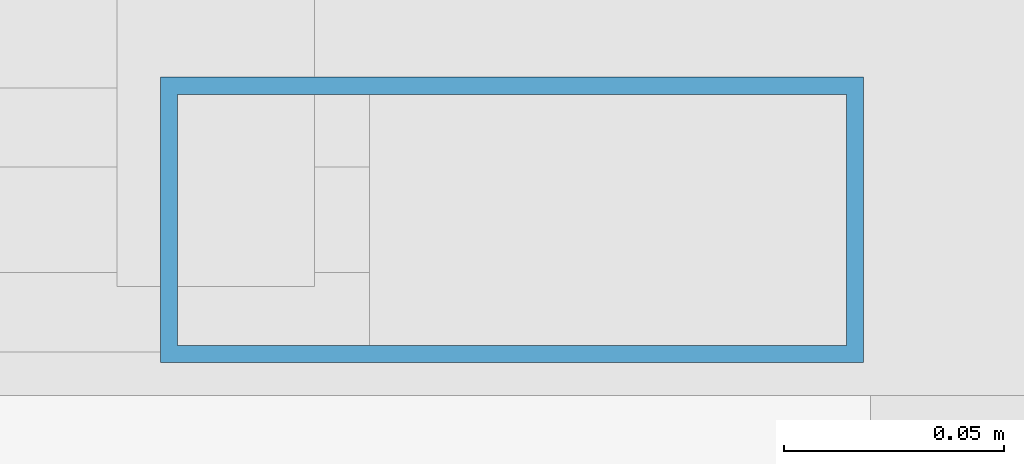
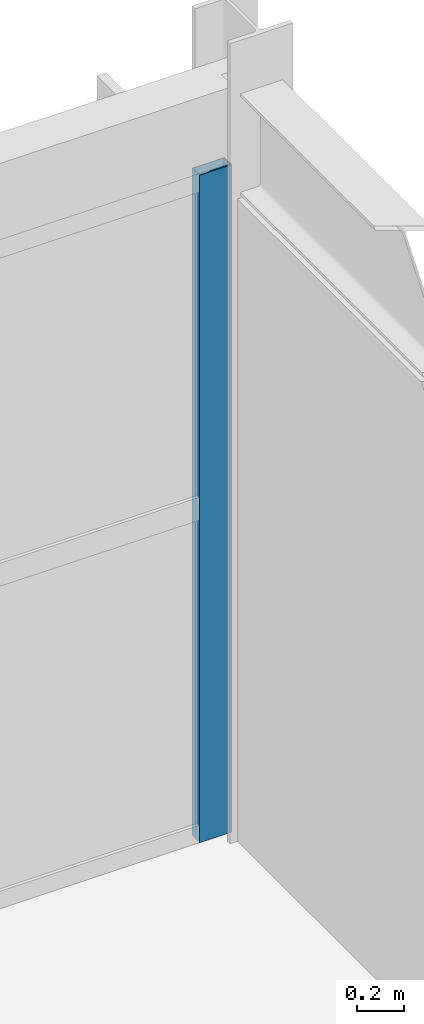
# One storey, part 87 of 130: 1 member, 1 element without a shape of its own.
"""IFC4 building model written with IfcOpenShell, lengths in metres."""

from ifc_helpers import new_model, si_unit, direction, frame, origin, origin_2d, place, context, subcontext, project, spatial, hollow_rectangle, extrude, material, material_profile, profile_set, type_object, element, aggregate, save


model = new_model("IFC4")

# Units and contexts
model_context = context("Model", 3, precision=1e-05, world=origin(), true_north=direction((0.0, 1.0)))
body_context = subcontext(model_context, "Body", "Model", "MODEL_VIEW")
ifc_project = project(units=[si_unit("LENGTHUNIT", "METRE"), si_unit("AREAUNIT", "SQUARE_METRE"), si_unit("VOLUMEUNIT", "CUBIC_METRE"), si_unit("PLANEANGLEUNIT", "RADIAN"), si_unit("MASSUNIT", "GRAM", prefix="KILO")], contexts=[model_context])

# Site, building, storey
site_placement = place(None, origin())
site = spatial("IfcSite", under=ifc_project, at=site_placement, CompositionType="ELEMENT")
building_placement = place(site_placement, origin())
building = spatial("IfcBuilding", under=site, at=building_placement, Name="Karori Crest Natural Sciences Institute", CompositionType="ELEMENT")
storey_placement = place(building_placement, frame((0.0, 0.0, 17.5)))
storey = spatial("IfcBuildingStorey", under=building, at=storey_placement, Name="L04", CompositionType="ELEMENT", Elevation=17.5)

# Curtain wall, member
ifc_material = material(Name="Anodised architectural aluminium 6063-T6", Category="aluminium")
curtain_wall_type = type_object("IfcCurtainWallType", Name="CWT-20", PredefinedType="NOTDEFINED", material=ifc_material)
curtain_wall_placement = place(storey_placement, origin())
curtain_wall = element("IfcCurtainWall", 1, at=curtain_wall_placement, inside=storey, type_object=curtain_wall_type, Name="Curtain wall CW-0339", PredefinedType="NOTDEFINED")
ifc_material_profile = material_profile(ifc_material, hollow_rectangle(XDim=0.06494140625, YDim=0.159912109375, WallThickness=0.00390625, at=origin_2d()), Name="CWM160x65x4")
ifc_profile_set = profile_set([ifc_material_profile], Name="Anodised architectural aluminium 6063-T6")
member_type = type_object("IfcMemberType", Name="CWM-01", PredefinedType="MULLION", material=ifc_profile_set)
member_placement = place(storey_placement, frame((162.013916015625, 20.5400390625, 0.0), z_axis=(0.0, 0.0, 1.0), x_axis=(0.0, 1.0, 0.0)))
member = element("IfcMember", 2, at=member_placement, type_object=member_type, Name="CW-0339 mullion 3", PredefinedType="MULLION", context=body_context, shape_type="SweptSolid", body=[
    extrude(hollow_rectangle(XDim=0.06494140625, YDim=0.159912109375, WallThickness=0.00390625, at=origin_2d()), origin(), (0.0, 0.0, 1.0), 3.5048828125),
])
aggregate(curtain_wall, [member])

save(model, "model.ifc")
